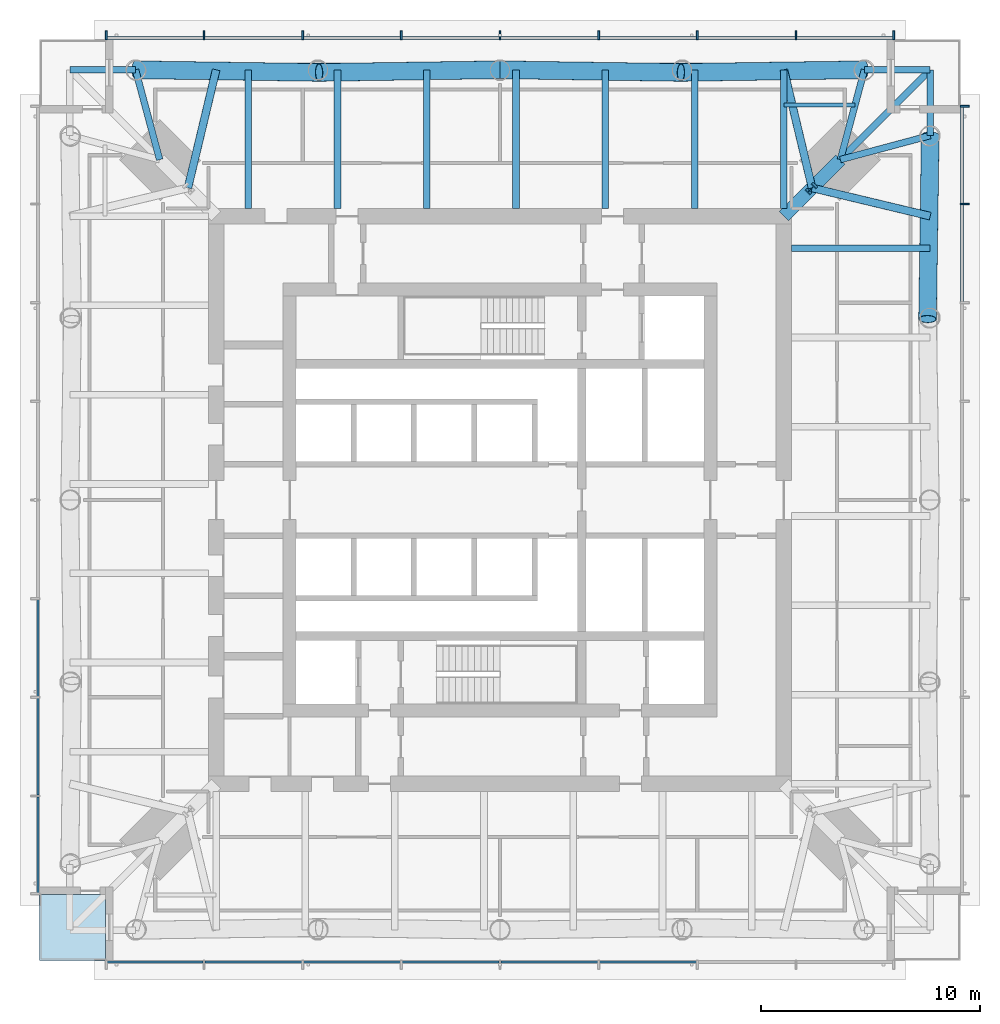
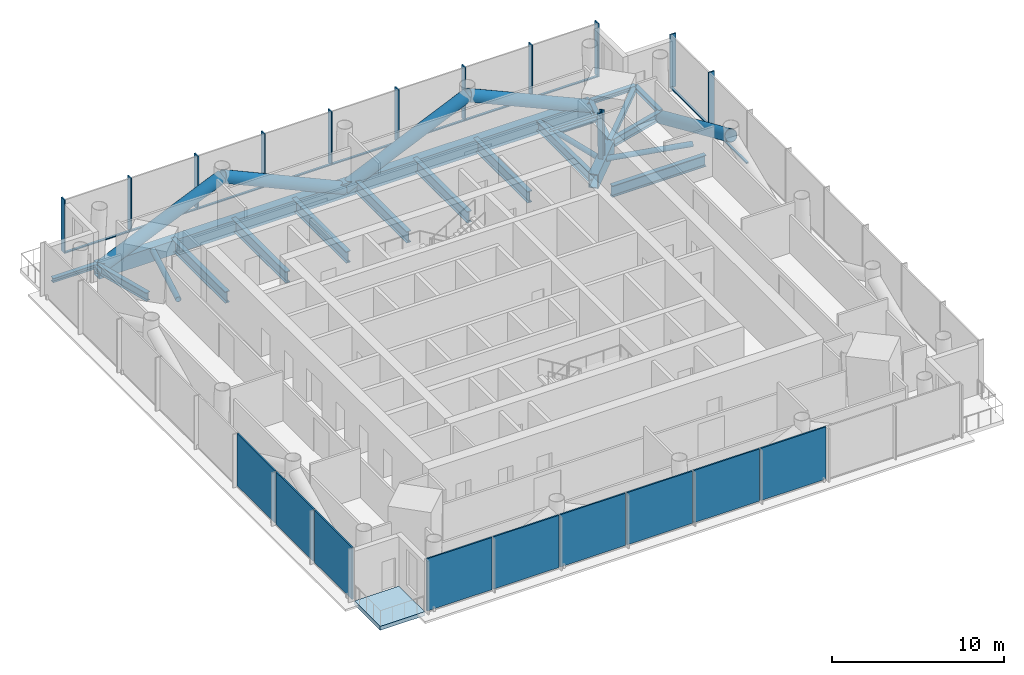
# One storey, part 3 of 13: 32 members, 16 beams, 9 plates, 1 slab, 4 elements without a shape of their own.
"""IFC4 building model written with IfcOpenShell, lengths in metres."""

from ifc_helpers import new_model, si_unit, direction, frame, origin, origin_2d, place, context, subcontext, project, spatial, polyline, rectangle, hollow_rectangle, hollow_circle, i_section, outline, extrude, material, layer, layer_set, material_profile, profile_set, type_object, element, aggregate, save


model = new_model("IFC4")

# Units and contexts
model_context = context("Model", 3, precision=1e-05, world=origin(), true_north=direction((0.0, 1.0)))
body_context = subcontext(model_context, "Body", "Model", "MODEL_VIEW")
ifc_project = project(units=[si_unit("LENGTHUNIT", "METRE"), si_unit("AREAUNIT", "SQUARE_METRE"), si_unit("VOLUMEUNIT", "CUBIC_METRE"), si_unit("PLANEANGLEUNIT", "RADIAN"), si_unit("MASSUNIT", "GRAM", prefix="KILO")], contexts=[model_context])

# Site, building, storey
site_placement = place(None, origin())
site = spatial("IfcSite", under=ifc_project, at=site_placement, CompositionType="ELEMENT")
building_placement = place(site_placement, origin())
building = spatial("IfcBuilding", under=site, at=building_placement, Name="Ostroluk Exchange", CompositionType="ELEMENT")
storey_placement = place(building_placement, frame((0.0, 0.0, 157.800048828125)))
storey = spatial("IfcBuildingStorey", under=building, at=storey_placement, Name="L40", CompositionType="ELEMENT", Elevation=157.800048828125)

# Beams
ifc_material_1 = material(Name="Steel S355", Category="steel")
ifc_material_profile_1 = material_profile(ifc_material_1, i_section(OverallWidth=0.300048828125, OverallDepth=0.300048828125, WebThickness=0.010986328125, FlangeThickness=0.01904296875, FilletRadius=0.027099609375, at=origin_2d()), Name="HEB 300")
ifc_profile_set_1 = profile_set([ifc_material_profile_1], Name="Steel S355")
beam_type_1 = type_object("IfcBeamType", Name="Balcony beam HEB 300", PredefinedType="BEAM", material=ifc_profile_set_1)
for number, where, z_axis, x_axis, name in (
    (1, (64.628662109375, 62.628662109375, -0.429931640625), (0.0, 1.0, 0.0), (-1.0, 0.0, 0.0), "T1 east balcony beam a"),
    (2, (61.628662109375, 65.628662109375, -0.429931640625), (1.0, 0.0, 0.0), (0.0, 1.0, 0.0), "T1 east balcony beam b"),
):
    element("IfcBeam", number, at=place(storey_placement, frame(where, z_axis=z_axis, x_axis=x_axis)), inside=storey, type_object=beam_type_1, Name=name, PredefinedType="BEAM", context=body_context, shape_type="SweptSolid", body=[
        extrude(i_section(OverallWidth=0.300048828125, OverallDepth=0.300048828125, WebThickness=0.010986328125, FlangeThickness=0.01904296875, FilletRadius=0.027099609375, at=origin_2d()), origin(), (0.0, 0.0, 1.0), 3.0),
    ])
beam_1_placement = place(storey_placement, frame((60.528564453125, 61.528564453125, -0.429931640625), z_axis=(0.707106781187, 0.707106781187, 0.0), x_axis=(-0.707106781187, 0.707106781187, 0.0)))
element("IfcBeam", 3, at=beam_1_placement, inside=storey, type_object=beam_type_1, Name="T1 east balcony beam c", PredefinedType="BEAM", context=body_context, shape_type="SweptSolid", body=[
    extrude(i_section(OverallWidth=0.300048828125, OverallDepth=0.300048828125, WebThickness=0.010986328125, FlangeThickness=0.01904296875, FilletRadius=0.027099609375, at=origin_2d()), origin(), (0.0, 0.0, 1.0), 5.79833984375),
])
beam_2_placement = place(storey_placement, frame((28.371337890625, 65.628662109375, -0.429931640625), z_axis=(-1.0, 0.0, 0.0), x_axis=(0.0, -1.0, 0.0)))
element("IfcBeam", 4, at=beam_2_placement, inside=storey, type_object=beam_type_1, Name="T1 north balcony beam a", PredefinedType="BEAM", context=body_context, shape_type="SweptSolid", body=[
    extrude(i_section(OverallWidth=0.300048828125, OverallDepth=0.300048828125, WebThickness=0.010986328125, FlangeThickness=0.01904296875, FilletRadius=0.027099609375, at=origin_2d()), origin(), (0.0, 0.0, 1.0), 3.0),
])

# Members
ifc_material_2 = material(Name="Steel S460", Category="steel")
ifc_material_profile_2 = material_profile(ifc_material_2, hollow_rectangle(XDim=0.60009765625, YDim=1.0, WallThickness=0.06005859375, at=origin_2d()), Name="BOX 600x1000x60")
ifc_profile_set_2 = profile_set([ifc_material_profile_2], Name="Steel S460")
member_type_1 = type_object("IfcMemberType", Name="Belt truss chord BOX 600x1000x60", PredefinedType="CHORD", material=ifc_profile_set_2)
member_1_placement = place(storey_placement, frame((61.628662109375, 65.628662109375, -0.780029296875), z_axis=(-1.0, 0.0, 0.0), x_axis=(0.0, -1.0, 0.0)))
element("IfcMember", 5, at=member_1_placement, inside=storey, type_object=member_type_1, Name="Belt truss 2 north chord 1", PredefinedType="CHORD", context=body_context, shape_type="SweptSolid", body=[
    extrude(hollow_rectangle(XDim=0.60009765625, YDim=1.0, WallThickness=0.06005859375, at=origin_2d()), origin(), (0.0, 0.0, 1.0), 33.25732421875),
])
ifc_material_3 = material(Name="Steel S460", Category="steel")
ifc_material_profile_3 = material_profile(ifc_material_3, hollow_circle(Radius=0.406494140625, WallThickness=0.030029296875, at=origin_2d()), Name="CHS 813x30")
ifc_profile_set_3 = profile_set([ifc_material_profile_3], Name="Steel S460")
member_type_2 = type_object("IfcMemberType", Name="Belt truss diagonal CHS 813x30", PredefinedType="BRACE", material=ifc_profile_set_3)
for number, where, z_axis, x_axis, name in (
    (6, (64.628662109375, 62.628662109375, -0.780029296875), (-0.013218891856, -0.910563988426, 0.413156730406), (0.999894641271, -0.014515727943, 0.0), "Belt truss 2 east diagonal 1.4"),
    (7, (61.628662109375, 65.628662109375, -0.780029296875), (-0.910563988426, -0.013218891856, 0.413156730406), (0.014515727943, -0.999894641271, 0.0), "Belt truss 2 north diagonal 1.1"),
):
    element("IfcMember", number, at=place(storey_placement, frame(where, z_axis=z_axis, x_axis=x_axis)), inside=storey, type_object=member_type_2, Name=name, PredefinedType="BRACE", context=body_context, shape_type="SweptSolid", body=[
        extrude(hollow_circle(Radius=0.406494140625, WallThickness=0.030029296875, at=origin_2d()), origin(), (0.0, 0.0, 1.0), 9.197509765625),
    ])
for number, where, z_axis, x_axis, name in (
    (8, (45.0, 65.628662109375, -0.780029296875), (0.908268525886, -0.013379410356, 0.418173739327), (0.014729079113, 0.99989152123, 0.0), "Belt truss 2 north diagonal 1.2"),
    (9, (45.0, 65.628662109375, -0.780029296875), (-0.908268525886, -0.013379410356, 0.418173739327), (0.014729079113, -0.99989152123, 0.0), "Belt truss 2 north diagonal 1.3"),
):
    element("IfcMember", number, at=place(storey_placement, frame(where, z_axis=z_axis, x_axis=x_axis)), inside=storey, type_object=member_type_2, Name=name, PredefinedType="BRACE", context=body_context, shape_type="SweptSolid", body=[
        extrude(hollow_circle(Radius=0.406494140625, WallThickness=0.030029296875, at=origin_2d()), origin(), (0.0, 0.0, 1.0), 9.087158203125),
    ])
member_2_placement = place(storey_placement, frame((28.371337890625, 65.628662109375, -0.780029296875), z_axis=(0.910563988426, -0.013218891856, 0.413156730406), x_axis=(0.014515727943, 0.999894641271, 0.0)))
element("IfcMember", 10, at=member_2_placement, inside=storey, type_object=member_type_2, Name="Belt truss 2 north diagonal 1.4", PredefinedType="BRACE", context=body_context, shape_type="SweptSolid", body=[
    extrude(hollow_circle(Radius=0.406494140625, WallThickness=0.030029296875, at=origin_2d()), origin(), (0.0, 0.0, 1.0), 9.197509765625),
])

# Beams
ifc_material_4 = material(Name="Steel S355", Category="steel")
ifc_material_profile_4 = material_profile(ifc_material_4, i_section(OverallWidth=0.300048828125, OverallDepth=0.60009765625, WebThickness=0.015380859375, FlangeThickness=0.030029296875, FilletRadius=0.027099609375, at=origin_2d()), Name="HEB 600")
ifc_profile_set_4 = profile_set([ifc_material_profile_4], Name="Steel S355")
beam_type_2 = type_object("IfcBeamType", Name="Corner edge beam HEB 600", PredefinedType="SPANDREL", material=ifc_profile_set_4)
for number, where, z_axis, x_axis, name in (
    (11, (60.528564453125, 61.528564453125, -0.580078125), (0.965838624319, 0.259144268261, 0.0), (-0.259144268261, 0.965838624319, 0.0), "T1 east corner edge beam a"),
    (12, (60.528564453125, 61.528564453125, -0.580078125), (0.259144268261, 0.965838624319, 0.0), (-0.965838624319, 0.259144268261, 0.0), "T1 east corner edge beam b"),
    (13, (29.471435546875, 61.528564453125, -0.580078125), (-0.259144268261, 0.965838624319, 0.0), (-0.965838624319, -0.259144268261, 0.0), "T1 north corner edge beam a"),
):
    element("IfcBeam", number, at=place(storey_placement, frame(where, z_axis=z_axis, x_axis=x_axis)), inside=storey, type_object=beam_type_2, Name=name, PredefinedType="SPANDREL", context=body_context, shape_type="SweptSolid", body=[
        extrude(i_section(OverallWidth=0.300048828125, OverallDepth=0.60009765625, WebThickness=0.015380859375, FlangeThickness=0.030029296875, FilletRadius=0.027099609375, at=origin_2d()), origin(), (0.0, 0.0, 1.0), 4.2451171875),
    ])
ifc_material_5 = material(Name="Steel S355", Category="steel")
ifc_material_profile_5 = material_profile(ifc_material_5, i_section(OverallWidth=0.302978515625, OverallDepth=0.81396484375, WebThickness=0.02099609375, FlangeThickness=0.0400390625, FilletRadius=0.030029296875, at=origin_2d()), Name="HEM 800")
ifc_profile_set_5 = profile_set([ifc_material_profile_5], Name="Steel S355")
beam_type_3 = type_object("IfcBeamType", Name="Floor beam HEM 800", PredefinedType="BEAM", material=ifc_profile_set_5)
for number, where, z_axis, x_axis, name in (
    (14, (58.300048828125, 57.48388671875, -0.68701171875), (1.0, 0.0, 0.0), (0.0, 1.0, 0.0), "T1 east floor beam 6"),
    (15, (53.877685546875, 59.300048828125, -0.68701171875), (0.0, 1.0, 0.0), (-1.0, 0.0, 0.0), "T1 north floor beam 1"),
    (16, (49.805419921875, 59.300048828125, -0.68701171875), (0.0, 1.0, 0.0), (-1.0, 0.0, 0.0), "T1 north floor beam 2"),
    (17, (45.733154296875, 59.300048828125, -0.68701171875), (0.0, 1.0, 0.0), (-1.0, 0.0, 0.0), "T1 north floor beam 3"),
    (18, (41.66064453125, 59.300048828125, -0.68701171875), (0.0, 1.0, 0.0), (-1.0, 0.0, 0.0), "T1 north floor beam 4"),
    (19, (37.58837890625, 59.300048828125, -0.68701171875), (0.0, 1.0, 0.0), (-1.0, 0.0, 0.0), "T1 north floor beam 5"),
    (20, (33.51611328125, 59.300048828125, -0.68701171875), (0.0, 1.0, 0.0), (-1.0, 0.0, 0.0), "T1 north floor beam 6"),
):
    element("IfcBeam", number, at=place(storey_placement, frame(where, z_axis=z_axis, x_axis=x_axis)), inside=storey, type_object=beam_type_3, Name=name, PredefinedType="BEAM", context=body_context, shape_type="SweptSolid", body=[
        extrude(i_section(OverallWidth=0.302978515625, OverallDepth=0.81396484375, WebThickness=0.02099609375, FlangeThickness=0.0400390625, FilletRadius=0.030029296875, at=origin_2d()), origin(), (0.0, 0.0, 1.0), 6.32861328125),
    ])
ifc_material_6 = material(Name="Steel S355", Category="steel")
ifc_material_profile_6 = material_profile(ifc_material_6, i_section(OverallWidth=0.179931640625, OverallDepth=0.39990234375, WebThickness=0.008544921875, FlangeThickness=0.013427734375, FilletRadius=0.02099609375, at=origin_2d()), Name="IPE 400")
ifc_profile_set_6 = profile_set([ifc_material_profile_6], Name="Steel S355")
beam_type_4 = type_object("IfcBeamType", Name="Floor beam IPE 400", PredefinedType="BEAM", material=ifc_profile_set_6)
beam_3_placement = place(storey_placement, frame((57.949951171875, 64.028564453125, -0.47998046875), z_axis=(1.0, 0.0, 0.0), x_axis=(0.0, 1.0, 0.0)))
element("IfcBeam", 21, at=beam_3_placement, inside=storey, type_object=beam_type_4, Name="T1 east floor beam 7", PredefinedType="BEAM", context=body_context, shape_type="SweptSolid", body=[
    extrude(i_section(OverallWidth=0.179931640625, OverallDepth=0.39990234375, WebThickness=0.008544921875, FlangeThickness=0.013427734375, FilletRadius=0.02099609375, at=origin_2d()), origin(), (0.0, 0.0, 1.0), 3.249267578125),
])
ifc_material_7 = material(Name="Steel S355", Category="steel")
ifc_material_profile_7 = material_profile(ifc_material_7, i_section(OverallWidth=0.300048828125, OverallDepth=0.699951171875, WebThickness=0.01708984375, FlangeThickness=0.031982421875, FilletRadius=0.027099609375, at=origin_2d()), Name="HEB 700")
ifc_profile_set_7 = profile_set([ifc_material_profile_7], Name="Steel S355")
beam_type_5 = type_object("IfcBeamType", Name="Girder HEB 700", PredefinedType="BEAM", material=ifc_profile_set_7)
beam_4_placement = place(storey_placement, frame((57.949951171875, 59.300048828125, -0.630126953125), z_axis=(0.0, 1.0, 0.0), x_axis=(-1.0, 0.0, 0.0)))
element("IfcBeam", 22, at=beam_4_placement, inside=storey, type_object=beam_type_5, Name="T1 east girder", PredefinedType="BEAM", context=body_context, shape_type="SweptSolid", body=[
    extrude(i_section(OverallWidth=0.300048828125, OverallDepth=0.699951171875, WebThickness=0.01708984375, FlangeThickness=0.031982421875, FilletRadius=0.027099609375, at=origin_2d()), origin(), (0.0, 0.0, 1.0), 6.32861328125),
])

# Members
ifc_material_8 = material(Name="Steel S460", Category="steel")
ifc_material_profile_8 = material_profile(ifc_material_8, hollow_rectangle(XDim=0.60009765625, YDim=1.0, WallThickness=0.06005859375, at=origin_2d()), Name="BOX 600x1000x60")
ifc_profile_set_8 = profile_set([ifc_material_profile_8], Name="Steel S460")
member_type_3 = type_object("IfcMemberType", Name="Outrigger chord BOX 600x1000x60", PredefinedType="CHORD", material=ifc_profile_set_8)
member_3_placement = place(storey_placement, frame((57.949951171875, 58.949951171875, -0.780029296875), z_axis=(0.707106781187, 0.707106781187, 0.0), x_axis=(-0.707106781187, 0.707106781187, 0.0)))
element("IfcMember", 23, at=member_3_placement, inside=storey, type_object=member_type_3, Name="Outrigger 2 NE chord 1", PredefinedType="CHORD", context=body_context, shape_type="SweptSolid", body=[
    extrude(hollow_rectangle(XDim=0.60009765625, YDim=1.0, WallThickness=0.06005859375, at=origin_2d()), origin(), (0.0, 0.0, 1.0), 3.646728515625),
])
ifc_material_9 = material(Name="Steel S460", Category="steel")
ifc_material_profile_9 = material_profile(ifc_material_9, i_section(OverallWidth=0.306884765625, OverallDepth=0.431884765625, WebThickness=0.02099609375, FlangeThickness=0.0400390625, FilletRadius=0.027099609375, at=origin_2d()), Name="HEM 400")
ifc_profile_set_9 = profile_set([ifc_material_profile_9], Name="Steel S460")
member_type_4 = type_object("IfcMemberType", Name="Outrigger post HEM 400", PredefinedType="POST", material=ifc_profile_set_9)
member_4_placement = place(storey_placement, frame((59.2392578125, 60.2392578125, -0.780029296875), z_axis=(-0.015993337676, -0.015993337676, 0.999744180428), x_axis=(0.707106781187, -0.707106781187, 0.0)))
element("IfcMember", 24, at=member_4_placement, inside=storey, type_object=member_type_4, Name="Outrigger 2 NE post 1", PredefinedType="POST", context=body_context, shape_type="SweptSolid", body=[
    extrude(i_section(OverallWidth=0.306884765625, OverallDepth=0.431884765625, WebThickness=0.02099609375, FlangeThickness=0.0400390625, FilletRadius=0.027099609375, at=origin_2d()), origin(), (0.0, 0.0, 1.0), 3.801025390625),
])
ifc_material_10 = material(Name="Steel S460", Category="steel")
ifc_material_profile_10 = material_profile(ifc_material_10, hollow_circle(Radius=0.177734375, WallThickness=0.012451171875, at=origin_2d()), Name="CHS 355.6x12.5")
ifc_profile_set_10 = profile_set([ifc_material_profile_10], Name="Steel S460")
member_type_5 = type_object("IfcMemberType", Name="Plan bracing CHS 355.6x12.5", PredefinedType="BRACE", material=ifc_profile_set_10)
for number, where, z_axis, x_axis, name in (
    (25, (59.2392578125, 60.2392578125, -0.457763671875), (0.972557006589, -0.232664713558, 0.0), (0.232664713558, 0.972557006589, 0.0), "Plan bracing L40 NE a"),
    (26, (59.2392578125, 60.2392578125, -0.457763671875), (-0.232664713558, 0.972557006589, 0.0), (-0.972557006589, -0.232664713558, 0.0), "Plan bracing L40 NE b"),
    (27, (30.7607421875, 60.2392578125, -0.457763671875), (0.232664713558, 0.972557006589, 0.0), (-0.972557006589, 0.232664713558, 0.0), "Plan bracing L40 NW a"),
):
    element("IfcMember", number, at=place(storey_placement, frame(where, z_axis=z_axis, x_axis=x_axis)), inside=storey, type_object=member_type_5, Name=name, PredefinedType="BRACE", context=body_context, shape_type="SweptSolid", body=[
        extrude(hollow_circle(Radius=0.177734375, WallThickness=0.012451171875, at=origin_2d()), origin(), (0.0, 0.0, 1.0), 5.54150390625),
    ])

# Curtain wall, members
ifc_material_11 = material(Name="Laminated clear glass", Category="glass")
curtain_wall_type = type_object("IfcCurtainWallType", Name="Office tower plant and sky lobby facade", PredefinedType="USERDEFINED", material=ifc_material_11)
curtain_wall_1_placement = place(storey_placement, origin())
curtain_wall_1 = element("IfcCurtainWall", 28, at=curtain_wall_1_placement, inside=storey, type_object=curtain_wall_type, Name="Office tower east facade L40", ObjectType="LOUVRED CURTAIN WALL", PredefinedType="USERDEFINED")
ifc_material_12 = material(Name="Aluminium mullion", Category="aluminium")
ifc_material_profile_11 = material_profile(ifc_material_12, rectangle(XDim=0.14990234375, YDim=0.080078125, at=origin_2d()), Name="Sill transom 80 x 150")
ifc_profile_set_11 = profile_set([ifc_material_profile_11], Name="Aluminium mullion")
member_type_6 = type_object("IfcMemberType", Name="Sill transom 80 x 150", PredefinedType="USERDEFINED", material=ifc_profile_set_11)
member_5_placement = place(storey_placement, frame((66.074951171875, 55.0400390625, 0.0400390625), z_axis=(0.0, 1.0, 0.0), x_axis=(-1.0, 0.0, 0.0)))
member_5 = element("IfcMember", 29, at=member_5_placement, type_object=member_type_6, Name="CW-P1 transom 7.1", ObjectType="TRANSOM", PredefinedType="USERDEFINED", context=body_context, shape_type="SweptSolid", body=[
    extrude(rectangle(XDim=0.14990234375, YDim=0.080078125, at=origin_2d()), origin(), (0.0, 0.0, 1.0), 4.419921875),
])
member_6_placement = place(storey_placement, frame((66.074951171875, 59.5400390625, 0.0400390625), z_axis=(0.0, 1.0, 0.0), x_axis=(-1.0, 0.0, 0.0)))
member_6 = element("IfcMember", 30, at=member_6_placement, type_object=member_type_6, Name="CW-P1 transom 8.1", ObjectType="TRANSOM", PredefinedType="USERDEFINED", context=body_context, shape_type="SweptSolid", body=[
    extrude(rectangle(XDim=0.14990234375, YDim=0.080078125, at=origin_2d()), origin(), (0.0, 0.0, 1.0), 4.3798828125),
])

curtain_wall_2_placement = place(storey_placement, origin())
curtain_wall_2 = element("IfcCurtainWall", 31, at=curtain_wall_2_placement, inside=storey, type_object=curtain_wall_type, Name="Office tower north facade L40", ObjectType="LOUVRED CURTAIN WALL", PredefinedType="USERDEFINED")
member_7_placement = place(storey_placement, frame((62.919921875, 67.074951171875, 0.0400390625), z_axis=(-1.0, 0.0, 0.0), x_axis=(0.0, -1.0, 0.0)))
member_7 = element("IfcMember", 32, at=member_7_placement, type_object=member_type_6, Name="CW-P1 transom 1.1", ObjectType="TRANSOM", PredefinedType="USERDEFINED", context=body_context, shape_type="SweptSolid", body=[
    extrude(rectangle(XDim=0.14990234375, YDim=0.080078125, at=origin_2d()), origin(), (0.0, 0.0, 1.0), 4.3798828125),
])
member_8_placement = place(storey_placement, frame((58.4599609375, 67.074951171875, 0.0400390625), z_axis=(-1.0, 0.0, 0.0), x_axis=(0.0, -1.0, 0.0)))
member_8 = element("IfcMember", 33, at=member_8_placement, type_object=member_type_6, Name="CW-P1 transom 2.1", ObjectType="TRANSOM", PredefinedType="USERDEFINED", context=body_context, shape_type="SweptSolid", body=[
    extrude(rectangle(XDim=0.14990234375, YDim=0.080078125, at=origin_2d()), origin(), (0.0, 0.0, 1.0), 4.419921875),
])
member_9_placement = place(storey_placement, frame((53.9599609375, 67.074951171875, 0.0400390625), z_axis=(-1.0, 0.0, 0.0), x_axis=(0.0, -1.0, 0.0)))
member_9 = element("IfcMember", 34, at=member_9_placement, type_object=member_type_6, Name="CW-P1 transom 3.1", ObjectType="TRANSOM", PredefinedType="USERDEFINED", context=body_context, shape_type="SweptSolid", body=[
    extrude(rectangle(XDim=0.14990234375, YDim=0.080078125, at=origin_2d()), origin(), (0.0, 0.0, 1.0), 4.419921875),
])
member_10_placement = place(storey_placement, frame((49.4599609375, 67.074951171875, 0.0400390625), z_axis=(-1.0, 0.0, 0.0), x_axis=(0.0, -1.0, 0.0)))
member_10 = element("IfcMember", 35, at=member_10_placement, type_object=member_type_6, Name="CW-P1 transom 4.1", ObjectType="TRANSOM", PredefinedType="USERDEFINED", context=body_context, shape_type="SweptSolid", body=[
    extrude(rectangle(XDim=0.14990234375, YDim=0.080078125, at=origin_2d()), origin(), (0.0, 0.0, 1.0), 4.419921875),
])
member_11_placement = place(storey_placement, frame((44.9599609375, 67.074951171875, 0.0400390625), z_axis=(-1.0, 0.0, 0.0), x_axis=(0.0, -1.0, 0.0)))
member_11 = element("IfcMember", 36, at=member_11_placement, type_object=member_type_6, Name="CW-P1 transom 5.1", ObjectType="TRANSOM", PredefinedType="USERDEFINED", context=body_context, shape_type="SweptSolid", body=[
    extrude(rectangle(XDim=0.14990234375, YDim=0.080078125, at=origin_2d()), origin(), (0.0, 0.0, 1.0), 4.419921875),
])
member_12_placement = place(storey_placement, frame((40.4599609375, 67.074951171875, 0.0400390625), z_axis=(-1.0, 0.0, 0.0), x_axis=(0.0, -1.0, 0.0)))
member_12 = element("IfcMember", 37, at=member_12_placement, type_object=member_type_6, Name="CW-P1 transom 6.1", ObjectType="TRANSOM", PredefinedType="USERDEFINED", context=body_context, shape_type="SweptSolid", body=[
    extrude(rectangle(XDim=0.14990234375, YDim=0.080078125, at=origin_2d()), origin(), (0.0, 0.0, 1.0), 4.419921875),
])
member_13_placement = place(storey_placement, frame((35.9599609375, 67.074951171875, 0.0400390625), z_axis=(-1.0, 0.0, 0.0), x_axis=(0.0, -1.0, 0.0)))
member_13 = element("IfcMember", 38, at=member_13_placement, type_object=member_type_6, Name="CW-P1 transom 7.1", ObjectType="TRANSOM", PredefinedType="USERDEFINED", context=body_context, shape_type="SweptSolid", body=[
    extrude(rectangle(XDim=0.14990234375, YDim=0.080078125, at=origin_2d()), origin(), (0.0, 0.0, 1.0), 4.419921875),
])
member_14_placement = place(storey_placement, frame((31.4599609375, 67.074951171875, 0.0400390625), z_axis=(-1.0, 0.0, 0.0), x_axis=(0.0, -1.0, 0.0)))
member_14 = element("IfcMember", 39, at=member_14_placement, type_object=member_type_6, Name="CW-P1 transom 8.1", ObjectType="TRANSOM", PredefinedType="USERDEFINED", context=body_context, shape_type="SweptSolid", body=[
    extrude(rectangle(XDim=0.14990234375, YDim=0.080078125, at=origin_2d()), origin(), (0.0, 0.0, 1.0), 4.3798828125),
])

# Member
ifc_material_13 = material(Name="Aluminium mullion with limestone facing", Category="masonry")
ifc_material_profile_12 = material_profile(ifc_material_13, rectangle(XDim=0.39990234375, YDim=0.080078125, at=origin_2d()), Name="Tracery mullion 80 x 400")
ifc_profile_set_12 = profile_set([ifc_material_profile_12], Name="Aluminium mullion with limestone facing")
member_type_7 = type_object("IfcMemberType", Name="Tracery mullion 80 x 400", PredefinedType="MULLION", material=ifc_profile_set_12)
member_15_placement = place(storey_placement, frame((66.199951171875, 59.5, 0.0), z_axis=(0.0, 0.0, 1.0), x_axis=(-1.0, 0.0, 0.0)))
member_15 = element("IfcMember", 40, at=member_15_placement, type_object=member_type_7, Name="CW-P1 mullion 8", PredefinedType="MULLION", context=body_context, shape_type="SweptSolid", body=[
    extrude(rectangle(XDim=0.39990234375, YDim=0.080078125, at=origin_2d()), origin(), (0.0, 0.0, 1.0), 3.800048828125),
])

member_16_placement = place(storey_placement, frame((66.199951171875, 63.9599609375, 0.0), z_axis=(0.0, 0.0, 1.0), x_axis=(-1.0, 0.0, 0.0)))
member_16 = element("IfcMember", 41, at=member_16_placement, type_object=member_type_7, Name="CW-P1 mullion 9", PredefinedType="MULLION", context=body_context, shape_type="SweptSolid", body=[
    extrude(rectangle(XDim=0.39990234375, YDim=0.080078125, at=origin_2d()), origin(), (0.0, 0.0, 1.0), 3.800048828125),
])

aggregate(curtain_wall_1, [member_15, member_16, member_5, member_6])

member_17_placement = place(storey_placement, frame((62.9599609375, 67.199951171875, 0.0), z_axis=(0.0, 0.0, 1.0), x_axis=(0.0, -1.0, 0.0)))
member_17 = element("IfcMember", 42, at=member_17_placement, type_object=member_type_7, Name="CW-P1 mullion 1", PredefinedType="MULLION", context=body_context, shape_type="SweptSolid", body=[
    extrude(rectangle(XDim=0.39990234375, YDim=0.080078125, at=origin_2d()), origin(), (0.0, 0.0, 1.0), 3.800048828125),
])

member_18_placement = place(storey_placement, frame((58.5, 67.199951171875, 0.0), z_axis=(0.0, 0.0, 1.0), x_axis=(0.0, -1.0, 0.0)))
member_18 = element("IfcMember", 43, at=member_18_placement, type_object=member_type_7, Name="CW-P1 mullion 2", PredefinedType="MULLION", context=body_context, shape_type="SweptSolid", body=[
    extrude(rectangle(XDim=0.39990234375, YDim=0.080078125, at=origin_2d()), origin(), (0.0, 0.0, 1.0), 3.800048828125),
])

member_19_placement = place(storey_placement, frame((54.0, 67.199951171875, 0.0), z_axis=(0.0, 0.0, 1.0), x_axis=(0.0, -1.0, 0.0)))
member_19 = element("IfcMember", 44, at=member_19_placement, type_object=member_type_7, Name="CW-P1 mullion 3", PredefinedType="MULLION", context=body_context, shape_type="SweptSolid", body=[
    extrude(rectangle(XDim=0.39990234375, YDim=0.080078125, at=origin_2d()), origin(), (0.0, 0.0, 1.0), 3.800048828125),
])

member_20_placement = place(storey_placement, frame((49.5, 67.199951171875, 0.0), z_axis=(0.0, 0.0, 1.0), x_axis=(0.0, -1.0, 0.0)))
member_20 = element("IfcMember", 45, at=member_20_placement, type_object=member_type_7, Name="CW-P1 mullion 4", PredefinedType="MULLION", context=body_context, shape_type="SweptSolid", body=[
    extrude(rectangle(XDim=0.39990234375, YDim=0.080078125, at=origin_2d()), origin(), (0.0, 0.0, 1.0), 3.800048828125),
])

member_21_placement = place(storey_placement, frame((45.0, 67.199951171875, 0.0), z_axis=(0.0, 0.0, 1.0), x_axis=(0.0, -1.0, 0.0)))
member_21 = element("IfcMember", 46, at=member_21_placement, type_object=member_type_7, Name="CW-P1 mullion 5", PredefinedType="MULLION", context=body_context, shape_type="SweptSolid", body=[
    extrude(rectangle(XDim=0.39990234375, YDim=0.080078125, at=origin_2d()), origin(), (0.0, 0.0, 1.0), 3.800048828125),
])

member_22_placement = place(storey_placement, frame((40.5, 67.199951171875, 0.0), z_axis=(0.0, 0.0, 1.0), x_axis=(0.0, -1.0, 0.0)))
member_22 = element("IfcMember", 47, at=member_22_placement, type_object=member_type_7, Name="CW-P1 mullion 6", PredefinedType="MULLION", context=body_context, shape_type="SweptSolid", body=[
    extrude(rectangle(XDim=0.39990234375, YDim=0.080078125, at=origin_2d()), origin(), (0.0, 0.0, 1.0), 3.800048828125),
])

member_23_placement = place(storey_placement, frame((36.0, 67.199951171875, 0.0), z_axis=(0.0, 0.0, 1.0), x_axis=(0.0, -1.0, 0.0)))
member_23 = element("IfcMember", 48, at=member_23_placement, type_object=member_type_7, Name="CW-P1 mullion 7", PredefinedType="MULLION", context=body_context, shape_type="SweptSolid", body=[
    extrude(rectangle(XDim=0.39990234375, YDim=0.080078125, at=origin_2d()), origin(), (0.0, 0.0, 1.0), 3.800048828125),
])

member_24_placement = place(storey_placement, frame((31.5, 67.199951171875, 0.0), z_axis=(0.0, 0.0, 1.0), x_axis=(0.0, -1.0, 0.0)))
member_24 = element("IfcMember", 49, at=member_24_placement, type_object=member_type_7, Name="CW-P1 mullion 8", PredefinedType="MULLION", context=body_context, shape_type="SweptSolid", body=[
    extrude(rectangle(XDim=0.39990234375, YDim=0.080078125, at=origin_2d()), origin(), (0.0, 0.0, 1.0), 3.800048828125),
])

member_25_placement = place(storey_placement, frame((27.0400390625, 67.199951171875, 0.0), z_axis=(0.0, 0.0, 1.0), x_axis=(0.0, -1.0, 0.0)))
member_25 = element("IfcMember", 50, at=member_25_placement, type_object=member_type_7, Name="CW-P1 mullion 9", PredefinedType="MULLION", context=body_context, shape_type="SweptSolid", body=[
    extrude(rectangle(XDim=0.39990234375, YDim=0.080078125, at=origin_2d()), origin(), (0.0, 0.0, 1.0), 3.800048828125),
])

aggregate(curtain_wall_2, [member_17, member_18, member_19, member_20, member_21, member_22, member_23, member_24, member_25, member_7, member_8, member_9, member_10, member_11, member_12, member_13, member_14])

# Curtain wall, plates
curtain_wall_3_placement = place(storey_placement, origin())
curtain_wall_3 = element("IfcCurtainWall", 51, at=curtain_wall_3_placement, inside=storey, type_object=curtain_wall_type, Name="Office tower south facade L40", ObjectType="LOUVRED CURTAIN WALL", PredefinedType="USERDEFINED")
ifc_material_14 = material(Name="Aluminium louvre", Category="aluminium")
ifc_layer_1 = layer(ifc_material_14, 0.10009765625)
ifc_layer_set_1 = layer_set([ifc_layer_1], Name="Aluminium louvre panel 100")
plate_type = type_object("IfcPlateType", Name="Aluminium louvre panel 100", PredefinedType="USERDEFINED", material=ifc_layer_set_1)
plate_1_placement = place(storey_placement, frame((29.27001953125, 24.925048828125, 0.080078125), z_axis=(0.0, 0.0, 1.0), x_axis=(1.0, 0.0, 0.0)))
plate_1 = element("IfcPlate", 52, at=plate_1_placement, type_object=plate_type, Name="CW-P1 panel 1.1", ObjectType="LOUVRE PANEL", PredefinedType="USERDEFINED", context=body_context, shape_type="SweptSolid", body=[
    extrude(rectangle(XDim=4.3798828125, YDim=0.10009765625, at=origin_2d()), origin(), (0.0, 0.0, 1.0), 3.719970703125),
])
plate_2_placement = place(storey_placement, frame((33.75, 24.925048828125, 0.080078125), z_axis=(0.0, 0.0, 1.0), x_axis=(1.0, 0.0, 0.0)))
plate_2 = element("IfcPlate", 53, at=plate_2_placement, type_object=plate_type, Name="CW-P1 panel 2.1", ObjectType="LOUVRE PANEL", PredefinedType="USERDEFINED", context=body_context, shape_type="SweptSolid", body=[
    extrude(rectangle(XDim=4.419921875, YDim=0.10009765625, at=origin_2d()), origin(), (0.0, 0.0, 1.0), 3.719970703125),
])
plate_3_placement = place(storey_placement, frame((38.25, 24.925048828125, 0.080078125), z_axis=(0.0, 0.0, 1.0), x_axis=(1.0, 0.0, 0.0)))
plate_3 = element("IfcPlate", 54, at=plate_3_placement, type_object=plate_type, Name="CW-P1 panel 3.1", ObjectType="LOUVRE PANEL", PredefinedType="USERDEFINED", context=body_context, shape_type="SweptSolid", body=[
    extrude(rectangle(XDim=4.419921875, YDim=0.10009765625, at=origin_2d()), origin(), (0.0, 0.0, 1.0), 3.719970703125),
])
plate_4_placement = place(storey_placement, frame((42.75, 24.925048828125, 0.080078125), z_axis=(0.0, 0.0, 1.0), x_axis=(1.0, 0.0, 0.0)))
plate_4 = element("IfcPlate", 55, at=plate_4_placement, type_object=plate_type, Name="CW-P1 panel 4.1", ObjectType="LOUVRE PANEL", PredefinedType="USERDEFINED", context=body_context, shape_type="SweptSolid", body=[
    extrude(rectangle(XDim=4.419921875, YDim=0.10009765625, at=origin_2d()), origin(), (0.0, 0.0, 1.0), 3.719970703125),
])
plate_5_placement = place(storey_placement, frame((47.25, 24.925048828125, 0.080078125), z_axis=(0.0, 0.0, 1.0), x_axis=(1.0, 0.0, 0.0)))
plate_5 = element("IfcPlate", 56, at=plate_5_placement, type_object=plate_type, Name="CW-P1 panel 5.1", ObjectType="LOUVRE PANEL", PredefinedType="USERDEFINED", context=body_context, shape_type="SweptSolid", body=[
    extrude(rectangle(XDim=4.419921875, YDim=0.10009765625, at=origin_2d()), origin(), (0.0, 0.0, 1.0), 3.719970703125),
])
plate_6_placement = place(storey_placement, frame((51.75, 24.925048828125, 0.080078125), z_axis=(0.0, 0.0, 1.0), x_axis=(1.0, 0.0, 0.0)))
plate_6 = element("IfcPlate", 57, at=plate_6_placement, type_object=plate_type, Name="CW-P1 panel 6.1", ObjectType="LOUVRE PANEL", PredefinedType="USERDEFINED", context=body_context, shape_type="SweptSolid", body=[
    extrude(rectangle(XDim=4.419921875, YDim=0.10009765625, at=origin_2d()), origin(), (0.0, 0.0, 1.0), 3.719970703125),
])
aggregate(curtain_wall_3, [plate_1, plate_2, plate_3, plate_4, plate_5, plate_6])

curtain_wall_4_placement = place(storey_placement, origin())
curtain_wall_4 = element("IfcCurtainWall", 58, at=curtain_wall_4_placement, inside=storey, type_object=curtain_wall_type, Name="Office tower west facade L40", ObjectType="LOUVRED CURTAIN WALL", PredefinedType="USERDEFINED")
plate_7_placement = place(storey_placement, frame((23.925048828125, 39.25, 0.080078125), z_axis=(0.0, 0.0, 1.0), x_axis=(0.0, -1.0, 0.0)))
plate_7 = element("IfcPlate", 59, at=plate_7_placement, type_object=plate_type, Name="CW-P1 panel 6.1", ObjectType="LOUVRE PANEL", PredefinedType="USERDEFINED", context=body_context, shape_type="SweptSolid", body=[
    extrude(rectangle(XDim=4.419921875, YDim=0.10009765625, at=origin_2d()), origin(), (0.0, 0.0, 1.0), 3.719970703125),
])
plate_8_placement = place(storey_placement, frame((23.925048828125, 34.75, 0.080078125), z_axis=(0.0, 0.0, 1.0), x_axis=(0.0, -1.0, 0.0)))
plate_8 = element("IfcPlate", 60, at=plate_8_placement, type_object=plate_type, Name="CW-P1 panel 7.1", ObjectType="LOUVRE PANEL", PredefinedType="USERDEFINED", context=body_context, shape_type="SweptSolid", body=[
    extrude(rectangle(XDim=4.419921875, YDim=0.10009765625, at=origin_2d()), origin(), (0.0, 0.0, 1.0), 3.719970703125),
])
plate_9_placement = place(storey_placement, frame((23.925048828125, 30.27001953125, 0.080078125), z_axis=(0.0, 0.0, 1.0), x_axis=(0.0, -1.0, 0.0)))
plate_9 = element("IfcPlate", 61, at=plate_9_placement, type_object=plate_type, Name="CW-P1 panel 8.1", ObjectType="LOUVRE PANEL", PredefinedType="USERDEFINED", context=body_context, shape_type="SweptSolid", body=[
    extrude(rectangle(XDim=4.3798828125, YDim=0.10009765625, at=origin_2d()), origin(), (0.0, 0.0, 1.0), 3.719970703125),
])
aggregate(curtain_wall_4, [plate_7, plate_8, plate_9])

# Slab
ifc_material_15 = material(Name="Concrete C35/45", Category="concrete")
ifc_layer_2 = layer(ifc_material_15, 0.280029296875)
ifc_layer_set_2 = layer_set([ifc_layer_2], Name="Maintenance platform slab 280")
slab_type = type_object("IfcSlabType", Name="Maintenance platform slab 280", PredefinedType="USERDEFINED", material=ifc_layer_set_2)
slab_placement = place(storey_placement, frame((0.0, 0.0, -0.280029296875)))
element("IfcSlab", 62, at=slab_placement, inside=storey, type_object=slab_type, Name="Office tower SW maintenance platform L40", ObjectType="MAINTENANCE PLATFORM", PredefinedType="USERDEFINED", context=body_context, shape_type="SweptSolid", body=[
    extrude(outline(polyline([(24.0, 25.0), (27.0, 25.0), (27.0, 28.0), (24.0, 28.0), (24.0, 25.0)])), origin(), (0.0, 0.0, 1.0), 0.280029296875),
])

save(model, "model.ifc")
